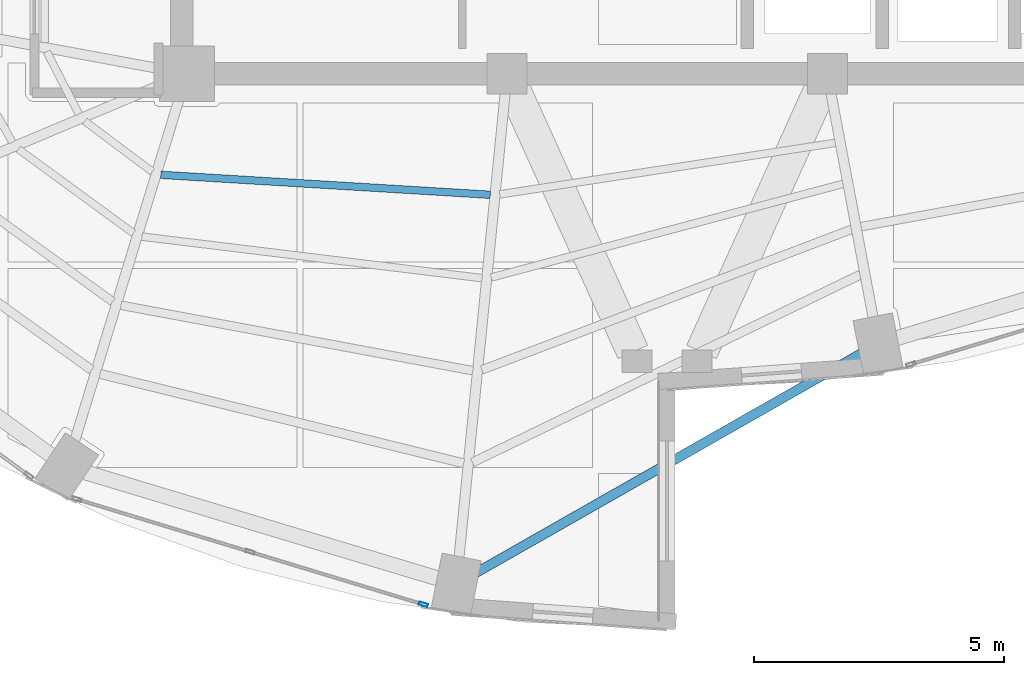
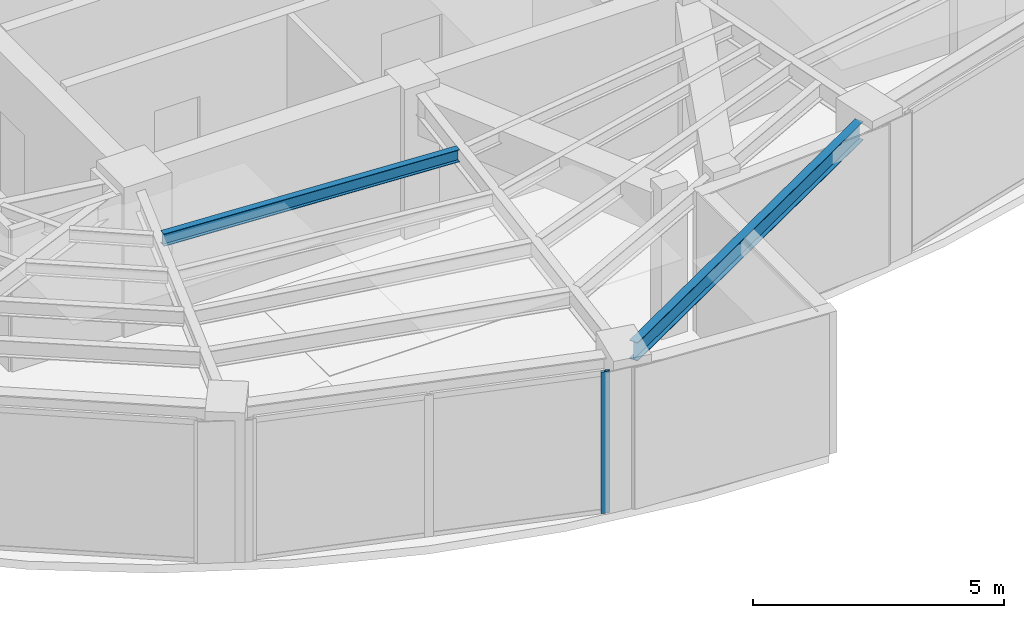
# One storey, part 5 of 23: 2 beams, 1 member, 1 element without a shape of its own.
"""IFC4 building model written with IfcOpenShell, lengths in metres."""

from ifc_helpers import new_model, si_unit, direction, frame, origin, origin_2d, place, context, subcontext, project, spatial, hollow_rectangle, i_section, extrude, material, layer, layer_set, material_profile, profile_set, type_object, element, aggregate, save


model = new_model("IFC4")

# Units and contexts
model_context = context("Model", 3, precision=1e-05, world=origin(), true_north=direction((0.0, 1.0)))
body_context = subcontext(model_context, "Body", "Model", "MODEL_VIEW")
ifc_project = project(units=[si_unit("LENGTHUNIT", "METRE"), si_unit("AREAUNIT", "SQUARE_METRE"), si_unit("VOLUMEUNIT", "CUBIC_METRE"), si_unit("PLANEANGLEUNIT", "RADIAN"), si_unit("MASSUNIT", "GRAM", prefix="KILO")], contexts=[model_context])

# Site, building, storey
site_placement = place(None, origin())
site = spatial("IfcSite", under=ifc_project, at=site_placement, CompositionType="ELEMENT")
building_placement = place(site_placement, origin())
building = spatial("IfcBuilding", under=site, at=building_placement, Name="Lazwardi Medical Tower", CompositionType="ELEMENT")
storey_placement = place(building_placement, frame((0.0, 0.0, 231.31201171875)))
storey = spatial("IfcBuildingStorey", under=building, at=storey_placement, Name="L60", CompositionType="ELEMENT", Elevation=231.31201171875)

# Beams
ifc_material_1 = material(Name="Steel S355", Category="steel")
ifc_material_profile_1 = material_profile(ifc_material_1, i_section(OverallWidth=0.14990234375, OverallDepth=0.300048828125, WebThickness=0.007080078125, FlangeThickness=0.0107421875, at=origin_2d()), Name="IPE 300")
ifc_profile_set_1 = profile_set([ifc_material_profile_1], Name="Steel S355")
beam_type_1 = type_object("IfcBeamType", Name="BM-SJ-03", PredefinedType="JOIST", material=ifc_profile_set_1)
beam_1_placement = place(storey_placement, frame((25.879150390625, 18.3798828125, 3.298095703125), z_axis=(0.998165515862, -0.060544223044, 0.0), x_axis=(0.060544223044, 0.998165515862, 0.0)))
element("IfcBeam", 1, at=beam_1_placement, inside=storey, type_object=beam_type_1, Name="Secondary joist SJ-03 R4 B15 L60", PredefinedType="JOIST", context=body_context, shape_type="SweptSolid", body=[
    extrude(i_section(OverallWidth=0.14990234375, OverallDepth=0.300048828125, WebThickness=0.007080078125, FlangeThickness=0.0107421875, at=origin_2d()), origin(), (0.0, 0.0, 1.0), 6.59716796875),
])
ifc_material_profile_2 = material_profile(ifc_material_1, i_section(OverallWidth=0.18994140625, OverallDepth=0.449951171875, WebThickness=0.009521484375, FlangeThickness=0.0146484375, at=origin_2d()), Name="IPE 450")
ifc_profile_set_2 = profile_set([ifc_material_profile_2], Name="Steel S355")
beam_type_2 = type_object("IfcBeamType", Name="BM-SP-01", PredefinedType="SPANDREL", material=ifc_profile_set_2)
beam_2_placement = place(storey_placement, frame((32.125, 10.394775390625, 3.222900390625), z_axis=(0.868954808466, 0.494891443494, 0.0), x_axis=(-0.494891443494, 0.868954808466, 0.0)))
element("IfcBeam", 2, at=beam_2_placement, inside=storey, type_object=beam_type_2, Name="Spandrel beam SP-01 B16 L60", PredefinedType="SPANDREL", context=body_context, shape_type="SweptSolid", body=[
    extrude(i_section(OverallWidth=0.18994140625, OverallDepth=0.449951171875, WebThickness=0.009521484375, FlangeThickness=0.0146484375, at=origin_2d()), origin(), (0.0, 0.0, 1.0), 8.918701171875),
])

# Curtain wall, member
ifc_material_2 = material(Name="Anodised bronze aluminium and solar control glazing", Category="aluminium")
ifc_layer = layer(ifc_material_2, 0.18994140625)
ifc_layer_set = layer_set([ifc_layer], Name="Anodised bronze aluminium and solar control glazing")
curtain_wall_type = type_object("IfcCurtainWallType", Name="CW-SYS-04", PredefinedType="NOTDEFINED", material=ifc_layer_set)
curtain_wall_placement = place(storey_placement, origin())
curtain_wall = element("IfcCurtainWall", 3, at=curtain_wall_placement, inside=storey, type_object=curtain_wall_type, Name="L60 Unitised bronze curtain wall CW-04", PredefinedType="NOTDEFINED")
ifc_material_3 = material(Name="Anodised bronze aluminium", Category="aluminium")
ifc_material_profile_3 = material_profile(ifc_material_3, hollow_rectangle(XDim=0.06494140625, YDim=0.179931640625, WallThickness=0.00390625, at=origin_2d()), Name="ALU-MULLION 180x65x4")
ifc_profile_set_3 = profile_set([ifc_material_profile_3], Name="Anodised bronze aluminium")
member_type = type_object("IfcMemberType", Name="CW-MUL-03", PredefinedType="MULLION", material=ifc_profile_set_3)
member_placement = place(storey_placement, frame((31.126953125, 9.79296875, 0.0), z_axis=(0.0, 0.0, 1.0), x_axis=(0.290581889515, 0.956850126972, 0.0)))
member = element("IfcMember", 4, at=member_placement, type_object=member_type, Name="CW-04 mullion 3", PredefinedType="MULLION", context=body_context, shape_type="SweptSolid", body=[
    extrude(hollow_rectangle(XDim=0.06494140625, YDim=0.179931640625, WallThickness=0.00390625, at=origin_2d()), origin(), (0.0, 0.0, 1.0), 3.447998046875),
])
aggregate(curtain_wall, [member])

save(model, "model.ifc")
